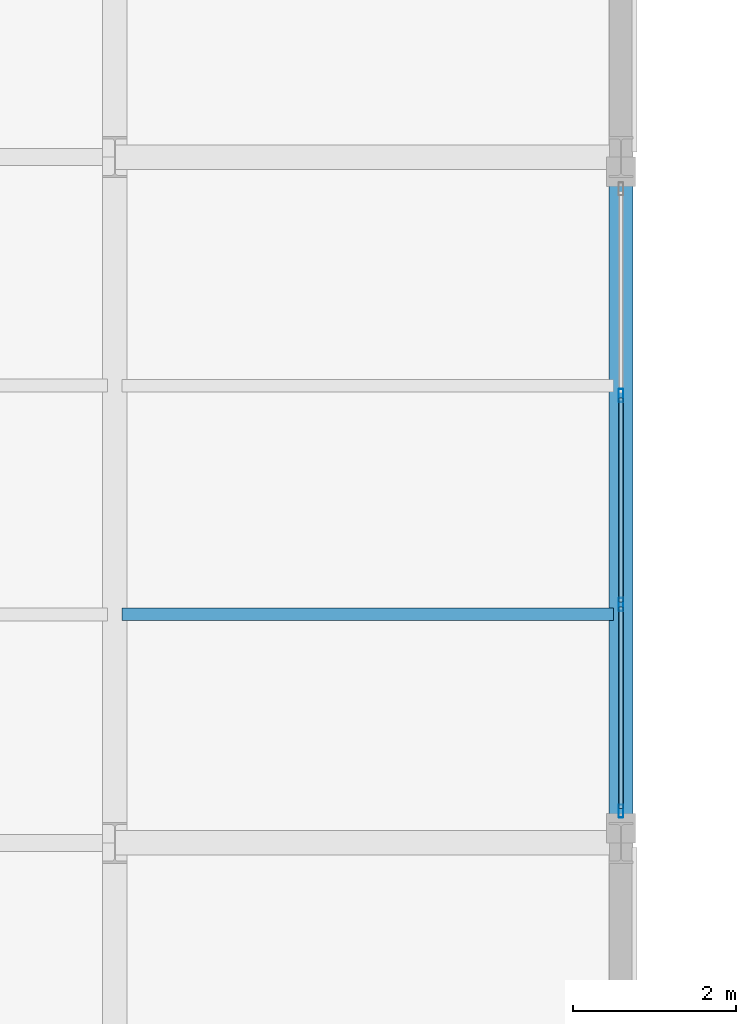
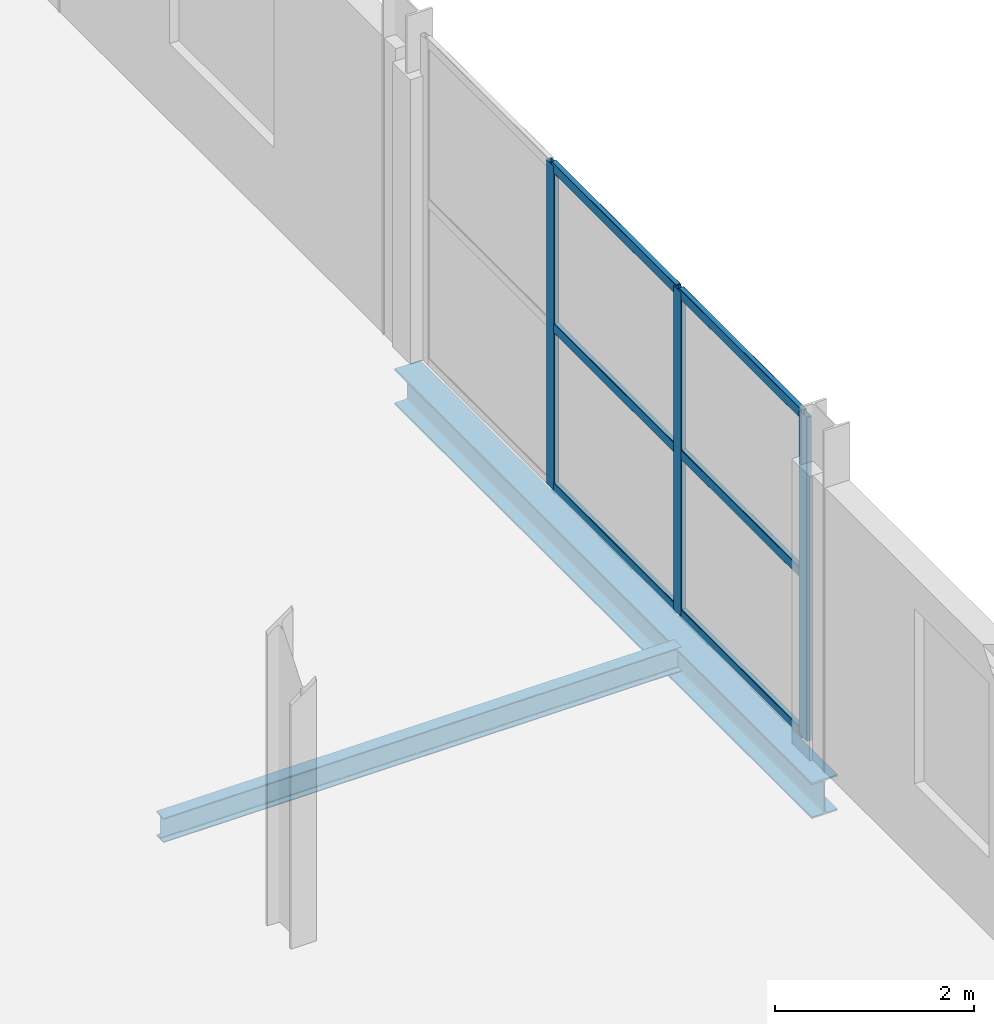
# One storey, part 59 of 101: 9 members, 2 beams, 1 element without a shape of its own.
"""IFC4 building model written with IfcOpenShell, lengths in metres."""

from ifc_helpers import new_model, si_unit, direction, frame, origin, origin_2d, place, context, subcontext, project, spatial, hollow_rectangle, i_section, extrude, material, layer, layer_set, material_profile, profile_set, type_object, element, aggregate, save


model = new_model("IFC4")

# Units and contexts
model_context = context("Model", 3, precision=1e-05, world=origin(), true_north=direction((0.0, 1.0)))
body_context = subcontext(model_context, "Body", "Model", "MODEL_VIEW")
ifc_project = project(units=[si_unit("LENGTHUNIT", "METRE"), si_unit("AREAUNIT", "SQUARE_METRE"), si_unit("VOLUMEUNIT", "CUBIC_METRE"), si_unit("PLANEANGLEUNIT", "RADIAN"), si_unit("MASSUNIT", "GRAM", prefix="KILO")], contexts=[model_context])

# Site, building, storey
site_placement = place(None, origin())
site = spatial("IfcSite", under=ifc_project, at=site_placement, CompositionType="ELEMENT")
building_placement = place(site_placement, origin())
building = spatial("IfcBuilding", under=site, at=building_placement, Name="Vekula Escarpment Museum", CompositionType="ELEMENT")
storey_placement = place(building_placement, frame((0.0, 0.0, 18.0)))
storey = spatial("IfcBuildingStorey", under=building, at=storey_placement, Name="L04", CompositionType="ELEMENT", Elevation=18.0)

# Beams
ifc_material_1 = material(Name="Steel S355", Category="steel")
ifc_material_profile_1 = material_profile(ifc_material_1, i_section(OverallWidth=0.14990234375, OverallDepth=0.300048828125, WebThickness=0.007080078125, FlangeThickness=0.0107421875, FilletRadius=0.014892578125, at=origin_2d()), Name="IPE 300")
ifc_profile_set_1 = profile_set([ifc_material_profile_1], Name="Steel S355")
beam_type_1 = type_object("IfcBeamType", Name="BM-JST-IPE300", PredefinedType="JOIST", material=ifc_profile_set_1)
beam_1_placement = place(storey_placement, frame((191.889892578125, 70.800048828125, -0.429931640625), z_axis=(1.0, 0.0, 0.0), x_axis=(0.0, 1.0, 0.0)))
element("IfcBeam", 1, at=beam_1_placement, inside=storey, type_object=beam_type_1, Name="Secondary Joist L04 1278", PredefinedType="JOIST", context=body_context, shape_type="SweptSolid", body=[
    extrude(i_section(OverallWidth=0.14990234375, OverallDepth=0.300048828125, WebThickness=0.007080078125, FlangeThickness=0.0107421875, FilletRadius=0.014892578125, at=origin_2d()), origin(), (0.0, 0.0, 1.0), 6.02001953125),
])
ifc_material_2 = material(Name="Steel S355", Category="steel")
ifc_material_profile_2 = material_profile(ifc_material_2, i_section(OverallWidth=0.300048828125, OverallDepth=0.43994140625, WebThickness=0.011474609375, FlangeThickness=0.02099609375, FilletRadius=0.027099609375, at=origin_2d()), Name="HEA 450")
ifc_profile_set_2 = profile_set([ifc_material_profile_2], Name="Steel S355")
beam_type_2 = type_object("IfcBeamType", Name="BM-SPAN-HEA450", PredefinedType="SPANDREL", material=ifc_profile_set_2)
beam_2_placement = place(storey_placement, frame((198.0, 68.0, -0.5), z_axis=(0.0, 1.0, 0.0), x_axis=(-1.0, 0.0, 0.0)))
element("IfcBeam", 2, at=beam_2_placement, inside=storey, type_object=beam_type_2, Name="Beam Y L04 1951", PredefinedType="SPANDREL", context=body_context, shape_type="SweptSolid", body=[
    extrude(i_section(OverallWidth=0.300048828125, OverallDepth=0.43994140625, WebThickness=0.011474609375, FlangeThickness=0.02099609375, FilletRadius=0.027099609375, at=origin_2d()), origin(), (0.0, 0.0, 1.0), 8.39990234375),
])

# Curtain wall, members
ifc_material_3 = material(Name="Aluminium thermally broken framing", Category="aluminium")
ifc_layer = layer(ifc_material_3, 0.139892578125)
ifc_layer_set = layer_set([ifc_layer], Name="Aluminium thermally broken framing")
curtain_wall_type = type_object("IfcCurtainWallType", Name="CW-SYS-06", PredefinedType="NOTDEFINED", material=ifc_layer_set)
curtain_wall_placement = place(storey_placement, origin())
curtain_wall = element("IfcCurtainWall", 3, at=curtain_wall_placement, inside=storey, type_object=curtain_wall_type, Name="Curtain Wall CW-L04-146", PredefinedType="NOTDEFINED")
ifc_material_4 = material(Name="Aluminium anodized mullion", Category="aluminium")
ifc_material_profile_3 = material_profile(ifc_material_4, hollow_rectangle(XDim=0.06005859375, YDim=0.159912109375, WallThickness=0.00390625, InnerFilletRadius=0.00390625, OuterFilletRadius=0.008056640625, at=origin_2d()), Name="ALU 160x60x4")
ifc_profile_set_3 = profile_set([ifc_material_profile_3], Name="Aluminium anodized mullion")
member_type_1 = type_object("IfcMemberType", Name="CW-MUL-160", PredefinedType="MULLION", material=ifc_profile_set_3)
member_1_placement = place(storey_placement, frame((198.0, 68.389892578125, 0.0), z_axis=(0.0, 0.0, 1.0), x_axis=(-1.0, 0.0, 0.0)))
member_1 = element("IfcMember", 4, at=member_1_placement, type_object=member_type_1, Name="CW-06 mullion 1", PredefinedType="MULLION", context=body_context, shape_type="SweptSolid", body=[
    extrude(hollow_rectangle(XDim=0.06005859375, YDim=0.159912109375, WallThickness=0.00390625, InnerFilletRadius=0.00390625, OuterFilletRadius=0.008056640625, at=origin_2d()), origin(), (0.0, 0.0, 1.0), 3.97998046875),
])
member_2_placement = place(storey_placement, frame((198.0, 70.919921875, 0.0), z_axis=(0.0, 0.0, 1.0), x_axis=(-1.0, 0.0, 0.0)))
member_2 = element("IfcMember", 5, at=member_2_placement, type_object=member_type_1, Name="CW-06 mullion 2", PredefinedType="MULLION", context=body_context, shape_type="SweptSolid", body=[
    extrude(hollow_rectangle(XDim=0.06005859375, YDim=0.159912109375, WallThickness=0.00390625, InnerFilletRadius=0.00390625, OuterFilletRadius=0.008056640625, at=origin_2d()), origin(), (0.0, 0.0, 1.0), 3.97998046875),
])
member_3_placement = place(storey_placement, frame((198.0, 73.47998046875, 0.0), z_axis=(0.0, 0.0, 1.0), x_axis=(-1.0, 0.0, 0.0)))
member_3 = element("IfcMember", 6, at=member_3_placement, type_object=member_type_1, Name="CW-06 mullion 3", PredefinedType="MULLION", context=body_context, shape_type="SweptSolid", body=[
    extrude(hollow_rectangle(XDim=0.06005859375, YDim=0.159912109375, WallThickness=0.00390625, InnerFilletRadius=0.00390625, OuterFilletRadius=0.008056640625, at=origin_2d()), origin(), (0.0, 0.0, 1.0), 3.97998046875),
])
ifc_material_5 = material(Name="Aluminium anodized transom", Category="aluminium")
ifc_material_profile_4 = material_profile(ifc_material_5, hollow_rectangle(XDim=0.06005859375, YDim=0.1201171875, WallThickness=0.00390625, InnerFilletRadius=0.00390625, OuterFilletRadius=0.008056640625, at=origin_2d()), Name="ALU 120x60x4")
ifc_profile_set_4 = profile_set([ifc_material_profile_4], Name="Aluminium anodized transom")
member_type_2 = type_object("IfcMemberType", Name="CW-TRN-120", PredefinedType="USERDEFINED", material=ifc_profile_set_4)
member_4_placement = place(storey_placement, frame((198.0, 68.419921875, 0.030029296875), z_axis=(0.0, 1.0, 0.0), x_axis=(-1.0, 0.0, 0.0)))
member_4 = element("IfcMember", 7, at=member_4_placement, type_object=member_type_2, Name="CW-06 transom 1.1", ObjectType="TRANSOM", PredefinedType="USERDEFINED", context=body_context, shape_type="SweptSolid", body=[
    extrude(hollow_rectangle(XDim=0.06005859375, YDim=0.1201171875, WallThickness=0.00390625, InnerFilletRadius=0.00390625, OuterFilletRadius=0.008056640625, at=origin_2d()), origin(), (0.0, 0.0, 1.0), 2.469970703125),
])
member_5_placement = place(storey_placement, frame((198.0, 68.419921875, 1.989990234375), z_axis=(0.0, 1.0, 0.0), x_axis=(-1.0, 0.0, 0.0)))
member_5 = element("IfcMember", 8, at=member_5_placement, type_object=member_type_2, Name="CW-06 transom 1.2", ObjectType="TRANSOM", PredefinedType="USERDEFINED", context=body_context, shape_type="SweptSolid", body=[
    extrude(hollow_rectangle(XDim=0.06005859375, YDim=0.1201171875, WallThickness=0.00390625, InnerFilletRadius=0.00390625, OuterFilletRadius=0.008056640625, at=origin_2d()), origin(), (0.0, 0.0, 1.0), 2.469970703125),
])
member_6_placement = place(storey_placement, frame((198.0, 68.419921875, 3.949951171875), z_axis=(0.0, 1.0, 0.0), x_axis=(-1.0, 0.0, 0.0)))
member_6 = element("IfcMember", 9, at=member_6_placement, type_object=member_type_2, Name="CW-06 transom 1.3", ObjectType="TRANSOM", PredefinedType="USERDEFINED", context=body_context, shape_type="SweptSolid", body=[
    extrude(hollow_rectangle(XDim=0.06005859375, YDim=0.1201171875, WallThickness=0.00390625, InnerFilletRadius=0.00390625, OuterFilletRadius=0.008056640625, at=origin_2d()), origin(), (0.0, 0.0, 1.0), 2.469970703125),
])
member_7_placement = place(storey_placement, frame((198.0, 70.949951171875, 0.030029296875), z_axis=(0.0, 1.0, 0.0), x_axis=(-1.0, 0.0, 0.0)))
member_7 = element("IfcMember", 10, at=member_7_placement, type_object=member_type_2, Name="CW-06 transom 2.1", ObjectType="TRANSOM", PredefinedType="USERDEFINED", context=body_context, shape_type="SweptSolid", body=[
    extrude(hollow_rectangle(XDim=0.06005859375, YDim=0.1201171875, WallThickness=0.00390625, InnerFilletRadius=0.00390625, OuterFilletRadius=0.008056640625, at=origin_2d()), origin(), (0.0, 0.0, 1.0), 2.5),
])
member_8_placement = place(storey_placement, frame((198.0, 70.949951171875, 1.989990234375), z_axis=(0.0, 1.0, 0.0), x_axis=(-1.0, 0.0, 0.0)))
member_8 = element("IfcMember", 11, at=member_8_placement, type_object=member_type_2, Name="CW-06 transom 2.2", ObjectType="TRANSOM", PredefinedType="USERDEFINED", context=body_context, shape_type="SweptSolid", body=[
    extrude(hollow_rectangle(XDim=0.06005859375, YDim=0.1201171875, WallThickness=0.00390625, InnerFilletRadius=0.00390625, OuterFilletRadius=0.008056640625, at=origin_2d()), origin(), (0.0, 0.0, 1.0), 2.5),
])
member_9_placement = place(storey_placement, frame((198.0, 70.949951171875, 3.949951171875), z_axis=(0.0, 1.0, 0.0), x_axis=(-1.0, 0.0, 0.0)))
member_9 = element("IfcMember", 12, at=member_9_placement, type_object=member_type_2, Name="CW-06 transom 2.3", ObjectType="TRANSOM", PredefinedType="USERDEFINED", context=body_context, shape_type="SweptSolid", body=[
    extrude(hollow_rectangle(XDim=0.06005859375, YDim=0.1201171875, WallThickness=0.00390625, InnerFilletRadius=0.00390625, OuterFilletRadius=0.008056640625, at=origin_2d()), origin(), (0.0, 0.0, 1.0), 2.5),
])
aggregate(curtain_wall, [member_1, member_2, member_3, member_4, member_5, member_6, member_7, member_8, member_9])

save(model, "model.ifc")
